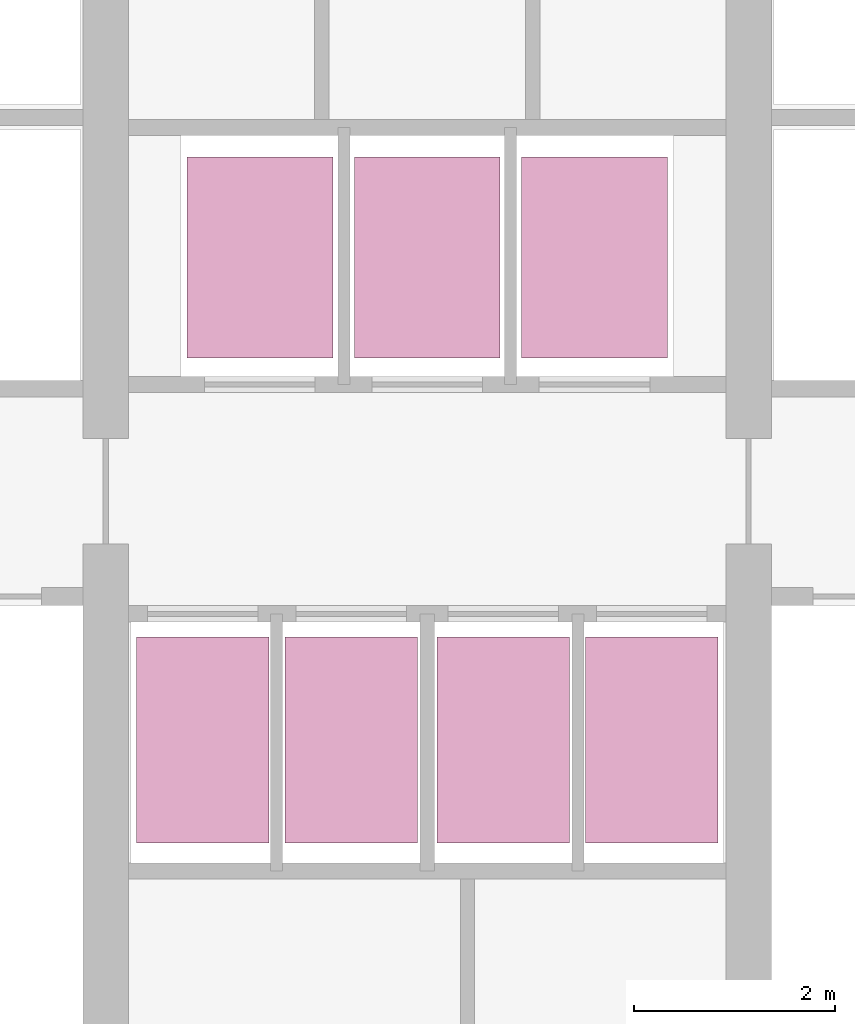
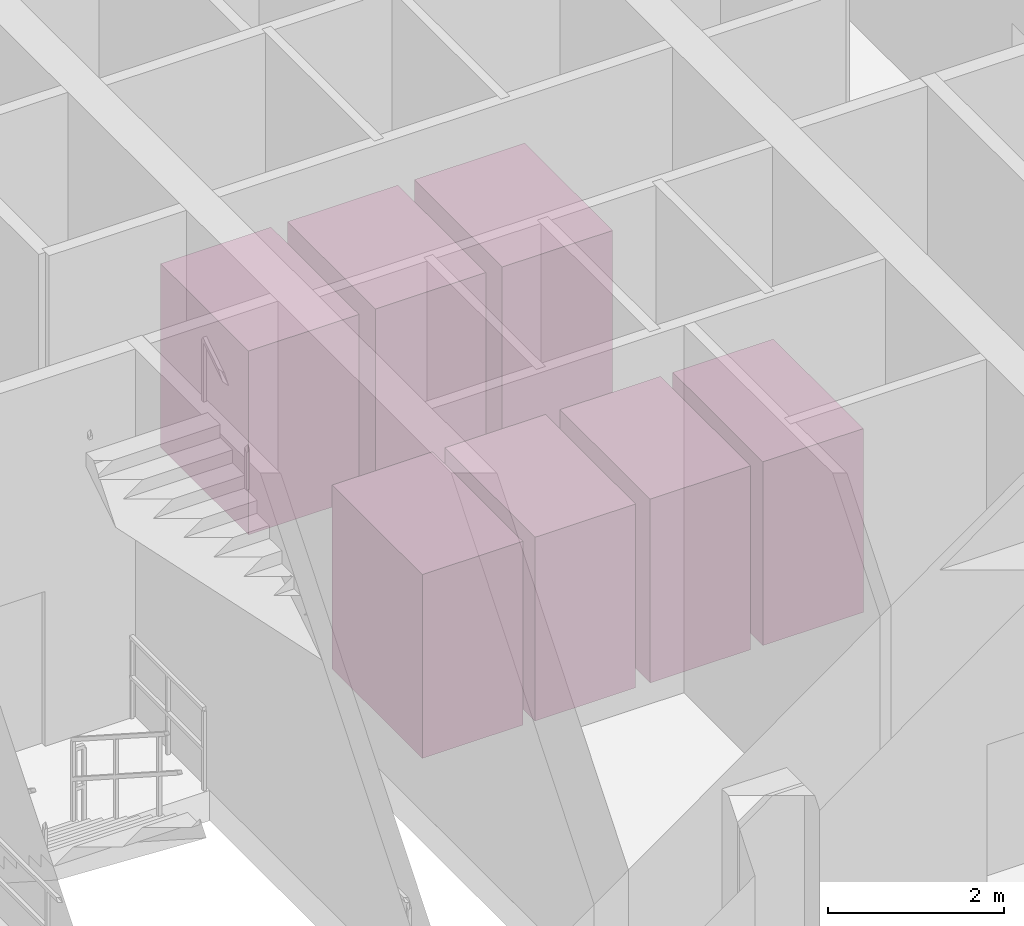
# One storey, part 25 of 25: 7 transport elements.
"""IFC4 building model written with IfcOpenShell, lengths in metres."""

from ifc_helpers import new_model, si_unit, direction, frame, origin, origin_2d, place, context, subcontext, project, spatial, rectangle, extrude, source, transform, mapped, material, type_object, element, save


model = new_model("IFC4")

# Units and contexts
model_context = context("Model", 3, precision=1e-05, world=origin(), true_north=direction((-0.2419218956, 0.970295726276)))
body_context = subcontext(model_context, "Body", "Model", "MODEL_VIEW")
ifc_project = project(units=[si_unit("LENGTHUNIT", "METRE"), si_unit("AREAUNIT", "SQUARE_METRE"), si_unit("VOLUMEUNIT", "CUBIC_METRE"), si_unit("PLANEANGLEUNIT", "RADIAN"), si_unit("MASSUNIT", "GRAM", prefix="KILO")], contexts=[model_context])

# Site, building, storey
site_placement = place(None, origin())
site = spatial("IfcSite", under=ifc_project, at=site_placement, CompositionType="ELEMENT")
building_placement = place(site_placement, origin())
building = spatial("IfcBuilding", under=site, at=building_placement, Name="Cobrevalo Terracotta Tower", CompositionType="ELEMENT")
storey_placement = place(building_placement, origin())
storey = spatial("IfcBuildingStorey", under=building, at=storey_placement, Name="L00", CompositionType="ELEMENT", Elevation=0.0)

# Transport elements
ifc_material = material(Name="Stainless steel cab assembly", Category="steel")
transport_element_type_1 = type_object("IfcTransportElementType", Name="Passenger High-Speed Lift Car 1450x2000", PredefinedType="ELEVATOR", material=ifc_material)
shared_shape_1 = source(origin(), body_context, "Body", "SweptSolid", [
    extrude(rectangle(XDim=1.449951171875, YDim=2.0, at=origin_2d()), origin(), (0.0, 0.0, 1.0), 2.550048828125),
])
for number, where, z_axis, x_axis, name in (
    (1, (36.3349609375, 29.824951171875, 0.0), (0.0, 0.0, 1.0), (1.0, 0.0, 0.0), "Passenger lift PL-L1"),
    (2, (38.0, 29.824951171875, 0.0), (0.0, 0.0, 1.0), (1.0, 0.0, 0.0), "Passenger lift PL-L2"),
    (3, (39.6650390625, 29.824951171875, 0.0), (0.0, 0.0, 1.0), (1.0, 0.0, 0.0), "Passenger lift PL-L3"),
):
    element("IfcTransportElement", number, at=place(storey_placement, frame(where, z_axis=z_axis, x_axis=x_axis)), inside=storey, type_object=transport_element_type_1, Name=name, PredefinedType="ELEVATOR", context=body_context, shape_type="MappedRepresentation", body=[
        mapped(shared_shape_1, transform((0.0, 0.0, 0.0), scale=1.0)),
    ])
transport_element_type_2 = type_object("IfcTransportElementType", Name="Sky-Zone Passenger Lift Car 1320x2050", PredefinedType="ELEVATOR", material=ifc_material)
shared_shape_2 = source(origin(), body_context, "Body", "SweptSolid", [
    extrude(rectangle(XDim=1.320068359375, YDim=2.050048828125, at=origin_2d()), origin(), (0.0, 0.0, 1.0), 2.550048828125),
])
for number, where, z_axis, x_axis, name in (
    (4, (35.764892578125, 25.02490234375, 0.0), (0.0, 0.0, 1.0), (1.0, 0.0, 0.0), "Passenger lift PL-M1"),
    (5, (37.2451171875, 25.02490234375, 0.0), (0.0, 0.0, 1.0), (1.0, 0.0, 0.0), "Passenger lift PL-M2"),
    (6, (38.7548828125, 25.02490234375, 0.0), (0.0, 0.0, 1.0), (1.0, 0.0, 0.0), "Passenger lift PL-H1"),
    (7, (40.235107421875, 25.02490234375, 0.0), (0.0, 0.0, 1.0), (1.0, 0.0, 0.0), "Passenger lift PL-H2"),
):
    element("IfcTransportElement", number, at=place(storey_placement, frame(where, z_axis=z_axis, x_axis=x_axis)), inside=storey, type_object=transport_element_type_2, Name=name, PredefinedType="ELEVATOR", context=body_context, shape_type="MappedRepresentation", body=[
        mapped(shared_shape_2, transform((0.0, 0.0, 0.0), scale=1.0)),
    ])

save(model, "model.ifc")
